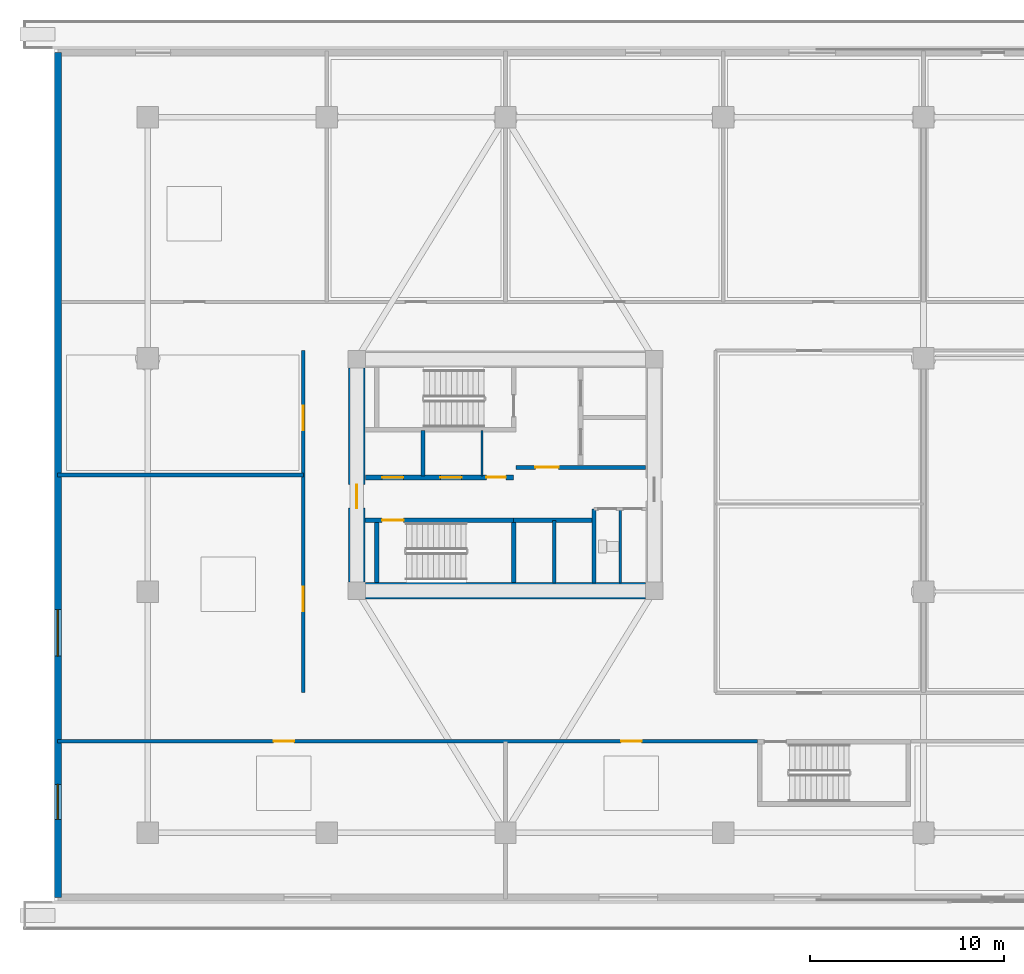
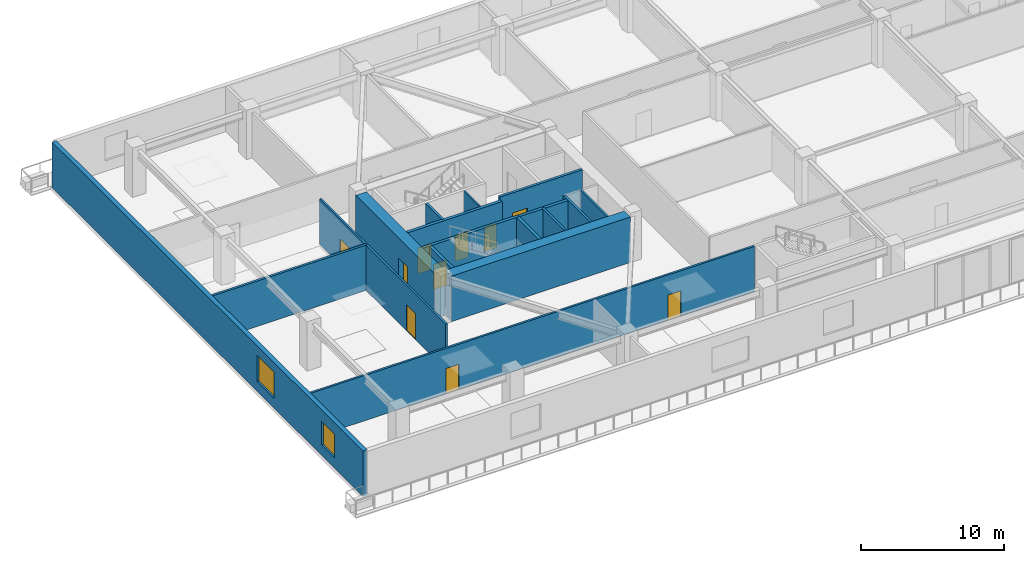
# One storey, part 4 of 23: 17 walls, 10 doors, 2 windows, 12 openings.
"""IFC4 building model written with IfcOpenShell, lengths in metres."""

from ifc_helpers import new_model, si_unit, direction, frame, frame_2d, origin, place, context, subcontext, project, spatial, rectangle, extrude, source, transform, mapped, material, layer, layer_set, type_object, type_shapes, element, fill, save


model = new_model("IFC4")

# Units and contexts
model_context = context("Model", 3, precision=1e-05, world=origin(), true_north=direction((0.0, 1.0)))
body_context = subcontext(model_context, "Body", "Model", "MODEL_VIEW")
ifc_project = project(units=[si_unit("LENGTHUNIT", "METRE"), si_unit("AREAUNIT", "SQUARE_METRE"), si_unit("VOLUMEUNIT", "CUBIC_METRE"), si_unit("PLANEANGLEUNIT", "RADIAN"), si_unit("MASSUNIT", "GRAM", prefix="KILO")], contexts=[model_context])

# Site, building, storey
site_placement = place(None, origin())
site = spatial("IfcSite", under=ifc_project, at=site_placement, CompositionType="ELEMENT")
building_placement = place(site_placement, origin())
building = spatial("IfcBuilding", under=site, at=building_placement, Name="Norrkilde Senior Care Towers", CompositionType="ELEMENT")
storey_placement = place(building_placement, frame((0.0, 0.0, 8.39990234375)))
storey = spatial("IfcBuildingStorey", under=building, at=storey_placement, Name="L02", CompositionType="ELEMENT", Elevation=8.39990234375)

# Wall
ifc_material_1 = material(Name="Concrete C60/75", Category="concrete")
ifc_layer_1 = layer(ifc_material_1, 0.85009765625)
ifc_layer_set_1 = layer_set([ifc_layer_1], Name="Concrete C60/75")
wall_type_1 = type_object("IfcWallType", Name="Core Shear Wall Z1 850", PredefinedType="SHEAR", material=ifc_layer_set_1)
shared_shape_1 = source(origin(), body_context, "Body", "SweptSolid", [
    extrude(rectangle(XDim=14.39990234375, YDim=0.85009765625, at=frame_2d((7.199951171875, 0.0))), origin(), (0.0, 0.0, 1.0), 3.880126953125),
])
wall_1_placement = place(storey_placement, frame((-20.800048828125, -5.949951171875, 0.0), z_axis=(0.0, 0.0, 1.0), x_axis=(-1.0, 0.0, 0.0)))
element("IfcWall", 1, at=wall_1_placement, inside=storey, type_object=wall_type_1, Name="L02 Core W South Shear Wall", PredefinedType="SHEAR", context=body_context, shape_type="MappedRepresentation", body=[
    mapped(shared_shape_1, transform((0.0, 0.0, 0.0), x_axis=(1.0, 0.0, 0.0), y_axis=(0.0, 1.0, 0.0), z_axis=(0.0, 0.0, 1.0), scale=1.0)),
])

# Wall, opening, door
shared_shape_2 = source(origin(), body_context, "Body", "SweptSolid", [
    extrude(rectangle(XDim=11.0, YDim=0.85009765625, at=frame_2d((5.5, 0.0))), origin(), (0.0, 0.0, 1.0), 3.880126953125),
])
type_shapes(wall_type_1, [shared_shape_1, shared_shape_2])
wall_2_placement = place(storey_placement, frame((-35.64990234375, -5.5, 0.0), z_axis=(0.0, 0.0, 1.0), x_axis=(0.0, 1.0, 0.0)))
wall_2 = element("IfcWall", 2, at=wall_2_placement, inside=storey, type_object=wall_type_1, Name="L02 Core W West Shear Wall", PredefinedType="SHEAR", context=body_context, shape_type="MappedRepresentation", body=[
    mapped(shared_shape_2, transform((0.0, 0.0, 0.0), x_axis=(1.0, 0.0, 0.0), y_axis=(0.0, 1.0, 0.0), z_axis=(0.0, 0.0, 1.0), scale=1.0)),
])
opening_1_placement = place(wall_2_placement, frame((3.800048828125, 0.0, 0.0)))
opening_1 = element("IfcOpeningElement", 3, at=opening_1_placement, cuts=wall_2, Name="Opening D-04", PredefinedType="OPENING", context=body_context, shape_type="SweptSolid", body=[
    extrude(rectangle(XDim=1.199951171875, YDim=2.14990234375, at=frame_2d((0.60009765625, 1.074951171875))), frame((0.0, 0.43505859375, 0.0), z_axis=(0.0, -1.0, 0.0), x_axis=(1.0, 0.0, 0.0)), (0.0, 0.0, 1.0), 0.8701171875),
])
ifc_material_2 = material(Name="Galvanised Painted Steel", Category="steel")
door_type_1 = type_object("IfcDoorType", Name="Firefighting Lobby Fire Door 1200x2150", OperationType="NOTDEFINED", PredefinedType="DOOR", material=ifc_material_2)
shared_shape_3 = source(origin(), body_context, "Body", "SweptSolid", [
    extrude(rectangle(XDim=1.199951171875, YDim=2.14990234375, at=frame_2d((0.60009765625, 1.074951171875))), frame((0.0, 0.02490234375, 0.0), z_axis=(0.0, -1.0, 0.0), x_axis=(1.0, 0.0, 0.0)), (0.0, 0.0, 1.0), 0.050048828125),
])
type_shapes(door_type_1, [shared_shape_3])
door_1_placement = place(opening_1_placement, frame((1.199951171875, 0.0, 0.0), z_axis=(0.0, 0.0, 1.0), x_axis=(-1.0, 0.0, 0.0)))
door_1 = element("IfcDoor", 4, at=door_1_placement, inside=storey, type_object=door_type_1, Name="L02 Core W West Portal Door", OperationType="SINGLE_SWING_LEFT", OverallHeight=2.14990234375, OverallWidth=1.199951171875, PredefinedType="DOOR", context=body_context, shape_type="MappedRepresentation", body=[
    mapped(shared_shape_3, transform((0.0, 0.0, 0.0), x_axis=(1.0, 0.0, 0.0), y_axis=(0.0, 1.0, 0.0), z_axis=(0.0, 0.0, 1.0), scale=1.0)),
])
fill(opening_1, door_1)

# Wall, openings, windows
ifc_material_3 = material(Name="Precast concrete C45/55", Category="concrete")
ifc_layer_2 = layer(ifc_material_3, 0.360107421875)
ifc_layer_set_2 = layer_set([ifc_layer_2], Name="Precast concrete C45/55")
wall_type_2 = type_object("IfcWallType", Name="Podium Facade Wall 360", PredefinedType="SOLIDWALL", material=ifc_layer_set_2)
shared_shape_4 = source(origin(), body_context, "Body", "SweptSolid", [
    extrude(rectangle(XDim=43.43994140625, YDim=0.360107421875, at=frame_2d((21.719970703125, 0.0))), origin(), (0.0, 0.0, 1.0), 3.880126953125),
])
type_shapes(wall_type_2, [shared_shape_4])
wall_3_placement = place(storey_placement, frame((-51.02001953125, -21.719970703125, 0.0), z_axis=(0.0, 0.0, 1.0), x_axis=(0.0, 1.0, 0.0)))
wall_3 = element("IfcWall", 5, at=wall_3_placement, inside=storey, type_object=wall_type_2, Name="L02 Podium W Facade Wall", PredefinedType="SOLIDWALL", context=body_context, shape_type="MappedRepresentation", body=[
    mapped(shared_shape_4, transform((0.0, 0.0, 0.0), x_axis=(1.0, 0.0, 0.0), y_axis=(0.0, 1.0, 0.0), z_axis=(0.0, 0.0, 1.0), scale=1.0)),
])
opening_2_placement = place(wall_3_placement, frame((4.0, 0.0, 0.89990234375)))
opening_2 = element("IfcOpeningElement", 6, at=opening_2_placement, cuts=wall_3, Name="Opening WN-03", PredefinedType="OPENING", context=body_context, shape_type="SweptSolid", body=[
    extrude(rectangle(XDim=1.800048828125, YDim=2.0, at=frame_2d((0.89990234375, 1.0))), frame((0.0, 0.18994140625, 0.0), z_axis=(0.0, -1.0, 0.0), x_axis=(1.0, 0.0, 0.0)), (0.0, 0.0, 1.0), 0.380126953125),
])
opening_3_placement = place(wall_3_placement, frame((12.39990234375, 0.0, 0.85009765625)))
opening_3 = element("IfcOpeningElement", 7, at=opening_3_placement, cuts=wall_3, Name="Opening WN-01", PredefinedType="OPENING", context=body_context, shape_type="SweptSolid", body=[
    extrude(rectangle(XDim=2.39990234375, YDim=2.199951171875, at=frame_2d((1.199951171875, 1.10009765625))), frame((0.0, 0.18994140625, 0.0), z_axis=(0.0, -1.0, 0.0), x_axis=(1.0, 0.0, 0.0)), (0.0, 0.0, 1.0), 0.380126953125),
])
ifc_material_4 = material(Name="Triple Low-E Insulated Glazing", Category="glass")
window_type_1 = type_object("IfcWindowType", Name="Podium Clinic Triple Window 2400x2200", PartitioningType="SINGLE_PANEL", PredefinedType="WINDOW", material=ifc_material_4)
shared_shape_5 = source(origin(), body_context, "Body", "SweptSolid", [
    extrude(rectangle(XDim=2.39990234375, YDim=2.199951171875, at=frame_2d((1.199951171875, 1.10009765625))), frame((0.0, 0.030029296875, 0.0), z_axis=(0.0, -1.0, 0.0), x_axis=(1.0, 0.0, 0.0)), (0.0, 0.0, 1.0), 0.06005859375),
])
type_shapes(window_type_1, [shared_shape_5])
window_1_placement = place(opening_3_placement, origin())
window_1 = element("IfcWindow", 8, at=window_1_placement, inside=storey, type_object=window_type_1, Name="L02 W Window 02", OverallHeight=2.199951171875, OverallWidth=2.39990234375, PartitioningType="SINGLE_PANEL", PredefinedType="WINDOW", context=body_context, shape_type="MappedRepresentation", body=[
    mapped(shared_shape_5, transform((0.0, 0.0, 0.0), x_axis=(1.0, 0.0, 0.0), y_axis=(0.0, 1.0, 0.0), z_axis=(0.0, 0.0, 1.0), scale=1.0)),
])
fill(opening_3, window_1)
window_type_2 = type_object("IfcWindowType", Name="Podium Therapy Garden Window 1800x2000", PartitioningType="SINGLE_PANEL", PredefinedType="WINDOW", material=ifc_material_4)
shared_shape_6 = source(origin(), body_context, "Body", "SweptSolid", [
    extrude(rectangle(XDim=1.800048828125, YDim=2.0, at=frame_2d((0.89990234375, 1.0))), frame((0.0, 0.030029296875, 0.0), z_axis=(0.0, -1.0, 0.0), x_axis=(1.0, 0.0, 0.0)), (0.0, 0.0, 1.0), 0.06005859375),
])
type_shapes(window_type_2, [shared_shape_6])
window_2_placement = place(opening_2_placement, origin())
window_2 = element("IfcWindow", 9, at=window_2_placement, inside=storey, type_object=window_type_2, Name="L02 W Window 01", OverallHeight=2.0, OverallWidth=1.800048828125, PartitioningType="SINGLE_PANEL", PredefinedType="WINDOW", context=body_context, shape_type="MappedRepresentation", body=[
    mapped(shared_shape_6, transform((0.0, 0.0, 0.0), x_axis=(1.0, 0.0, 0.0), y_axis=(0.0, 1.0, 0.0), z_axis=(0.0, 0.0, 1.0), scale=1.0)),
])
fill(opening_2, window_2)

# Wall, opening, door
ifc_material_5 = material(Name="Concrete C45/55", Category="concrete")
ifc_layer_3 = layer(ifc_material_5, 0.2099609375)
ifc_layer_set_3 = layer_set([ifc_layer_3], Name="Concrete C45/55")
wall_type_3 = type_object("IfcWallType", Name="Firefighting Lobby Wall 210", PredefinedType="PARTITIONING", material=ifc_layer_set_3)
shared_shape_7 = source(origin(), body_context, "Body", "SweptSolid", [
    extrude(rectangle(XDim=6.659912109375, YDim=0.2099609375, at=frame_2d((3.330078125, 0.0))), origin(), (0.0, 0.0, 1.0), 3.864990234375),
])
type_shapes(wall_type_3, [shared_shape_7])
wall_4_placement = place(storey_placement, frame((-27.4599609375, 0.389892578125, 0.0), z_axis=(0.0, 0.0, 1.0), x_axis=(1.0, 0.0, 0.0)))
wall_4 = element("IfcWall", 10, at=wall_4_placement, inside=storey, type_object=wall_type_3, Name="WL-INT-L02-W-FFLS", PredefinedType="PARTITIONING", context=body_context, shape_type="MappedRepresentation", body=[
    mapped(shared_shape_7, transform((0.0, 0.0, 0.0), x_axis=(1.0, 0.0, 0.0), y_axis=(0.0, 1.0, 0.0), z_axis=(0.0, 0.0, 1.0), scale=1.0)),
])
opening_4_placement = place(wall_4_placement, frame((1.0, 0.0, 0.0)))
opening_4 = element("IfcOpeningElement", 11, at=opening_4_placement, cuts=wall_4, Name="Opening D-04", PredefinedType="OPENING", context=body_context, shape_type="SweptSolid", body=[
    extrude(rectangle(XDim=1.199951171875, YDim=2.14990234375, at=frame_2d((0.60009765625, 1.074951171875))), frame((0.0, 0.114990234375, 0.0), z_axis=(0.0, -1.0, 0.0), x_axis=(1.0, 0.0, 0.0)), (0.0, 0.0, 1.0), 0.22998046875),
])
door_2_placement = place(opening_4_placement, frame((1.199951171875, 0.0, 0.0), z_axis=(0.0, 0.0, 1.0), x_axis=(-1.0, 0.0, 0.0)))
door_2 = element("IfcDoor", 12, at=door_2_placement, inside=storey, type_object=door_type_1, Name="L02 Firefighting Lobby W Door", OperationType="SINGLE_SWING_LEFT", OverallHeight=2.14990234375, OverallWidth=1.199951171875, PredefinedType="DOOR", context=body_context, shape_type="MappedRepresentation", body=[
    mapped(shared_shape_3, transform((0.0, 0.0, 0.0), x_axis=(1.0, 0.0, 0.0), y_axis=(0.0, 1.0, 0.0), z_axis=(0.0, 0.0, 1.0), scale=1.0)),
])
fill(opening_4, door_2)

# Wall, openings, doors
ifc_layer_4 = layer(ifc_material_5, 0.239990234375)
ifc_layer_set_4 = layer_set([ifc_layer_4], Name="Concrete C45/55")
wall_type_4 = type_object("IfcWallType", Name="Lift and Plant Rated Enclosure Partition 240", PredefinedType="PARTITIONING", material=ifc_layer_set_4)
shared_shape_8 = source(origin(), body_context, "Body", "SweptSolid", [
    extrude(rectangle(XDim=7.619873046875, YDim=0.239990234375, at=frame_2d((3.81005859375, 0.0))), origin(), (0.0, 0.0, 1.0), 3.864990234375),
])
wall_5_placement = place(storey_placement, frame((-35.199951171875, -0.1298828125, 0.0), z_axis=(0.0, 0.0, 1.0), x_axis=(1.0, 0.0, 0.0)))
wall_5 = element("IfcWall", 13, at=wall_5_placement, inside=storey, type_object=wall_type_4, Name="WL-INT-L02-W-PKAS", PredefinedType="PARTITIONING", context=body_context, shape_type="MappedRepresentation", body=[
    mapped(shared_shape_8, transform((0.0, 0.0, 0.0), x_axis=(1.0, 0.0, 0.0), y_axis=(0.0, 1.0, 0.0), z_axis=(0.0, 0.0, 1.0), scale=1.0)),
])
opening_5_placement = place(wall_5_placement, frame((6.219970703125, 0.0, 0.0)))
opening_5 = element("IfcOpeningElement", 14, at=opening_5_placement, cuts=wall_5, Name="Opening D-10", PredefinedType="OPENING", context=body_context, shape_type="SweptSolid", body=[
    extrude(rectangle(XDim=1.0, YDim=2.10009765625, at=frame_2d((0.5, 1.050048828125))), frame((0.0, 0.1298828125, 0.0), z_axis=(0.0, -1.0, 0.0), x_axis=(1.0, 0.0, 0.0)), (0.0, 0.0, 1.0), 0.260009765625),
])
opening_6_placement = place(wall_5_placement, frame((0.85009765625, 0.0, 0.0)))
opening_6 = element("IfcOpeningElement", 15, at=opening_6_placement, cuts=wall_5, Name="Opening LD-01", PredefinedType="OPENING", context=body_context, shape_type="SweptSolid", body=[
    extrude(rectangle(XDim=1.10009765625, YDim=2.199951171875, at=frame_2d((0.550048828125, 1.10009765625))), frame((0.0, 0.1298828125, 0.0), z_axis=(0.0, -1.0, 0.0), x_axis=(1.0, 0.0, 0.0)), (0.0, 0.0, 1.0), 0.260009765625),
])
opening_7_placement = place(wall_5_placement, frame((3.85009765625, 0.0, 0.0)))
opening_7 = element("IfcOpeningElement", 16, at=opening_7_placement, cuts=wall_5, Name="Opening LD-01", PredefinedType="OPENING", context=body_context, shape_type="SweptSolid", body=[
    extrude(rectangle(XDim=1.10009765625, YDim=2.199951171875, at=frame_2d((0.550048828125, 1.10009765625))), frame((0.0, 0.1298828125, 0.0), z_axis=(0.0, -1.0, 0.0), x_axis=(1.0, 0.0, 0.0)), (0.0, 0.0, 1.0), 0.260009765625),
])
door_type_2 = type_object("IfcDoorType", Name="Plant and Riser Rated Door 1000x2100", OperationType="NOTDEFINED", PredefinedType="DOOR", material=ifc_material_2)
shared_shape_9 = source(origin(), body_context, "Body", "SweptSolid", [
    extrude(rectangle(XDim=1.0, YDim=2.10009765625, at=frame_2d((0.5, 1.050048828125))), frame((0.0, 0.02490234375, 0.0), z_axis=(0.0, -1.0, 0.0), x_axis=(1.0, 0.0, 0.0)), (0.0, 0.0, 1.0), 0.050048828125),
])
type_shapes(door_type_2, [shared_shape_9])
door_3_placement = place(opening_5_placement, frame((1.0, 0.0, 0.0), z_axis=(0.0, 0.0, 1.0), x_axis=(-1.0, 0.0, 0.0)))
door_3 = element("IfcDoor", 17, at=door_3_placement, inside=storey, type_object=door_type_2, Name="L02 Electrical Riser W Door", OperationType="SINGLE_SWING_LEFT", OverallHeight=2.10009765625, OverallWidth=1.0, PredefinedType="DOOR", context=body_context, shape_type="MappedRepresentation", body=[
    mapped(shared_shape_9, transform((0.0, 0.0, 0.0), x_axis=(1.0, 0.0, 0.0), y_axis=(0.0, 1.0, 0.0), z_axis=(0.0, 0.0, 1.0), scale=1.0)),
])
fill(opening_5, door_3)
ifc_material_6 = material(Name="Stainless Steel", Category="steel")
door_type_3 = type_object("IfcDoorType", Name="Lift Landing Sliding Door 1100x2200", OperationType="NOTDEFINED", PredefinedType="DOOR", material=ifc_material_6)
shared_shape_10 = source(origin(), body_context, "Body", "SweptSolid", [
    extrude(rectangle(XDim=1.10009765625, YDim=2.199951171875, at=frame_2d((0.550048828125, 1.10009765625))), frame((0.0, 0.02490234375, 0.0), z_axis=(0.0, -1.0, 0.0), x_axis=(1.0, 0.0, 0.0)), (0.0, 0.0, 1.0), 0.050048828125),
])
type_shapes(door_type_3, [shared_shape_10])
door_4_placement = place(opening_6_placement, origin())
door_4 = element("IfcDoor", 18, at=door_4_placement, inside=storey, type_object=door_type_3, Name="L02 Passenger Lift W1 Landing Door", OperationType="SLIDING_TO_LEFT", OverallHeight=2.199951171875, OverallWidth=1.10009765625, PredefinedType="DOOR", context=body_context, shape_type="MappedRepresentation", body=[
    mapped(shared_shape_10, transform((0.0, 0.0, 0.0), x_axis=(1.0, 0.0, 0.0), y_axis=(0.0, 1.0, 0.0), z_axis=(0.0, 0.0, 1.0), scale=1.0)),
])
fill(opening_6, door_4)
door_5_placement = place(opening_7_placement, origin())
door_5 = element("IfcDoor", 19, at=door_5_placement, inside=storey, type_object=door_type_3, Name="L02 Passenger Lift W2 Landing Door", OperationType="SLIDING_TO_RIGHT", OverallHeight=2.199951171875, OverallWidth=1.10009765625, PredefinedType="DOOR", context=body_context, shape_type="MappedRepresentation", body=[
    mapped(shared_shape_10, transform((0.0, 0.0, 0.0), x_axis=(1.0, 0.0, 0.0), y_axis=(0.0, 1.0, 0.0), z_axis=(0.0, 0.0, 1.0), scale=1.0)),
])
fill(opening_7, door_5)

# Walls
ifc_material_7 = material(Name="Gypsum Acoustic Board")
ifc_layer_5 = layer(ifc_material_7, 0.114990234375)
ifc_layer_set_5 = layer_set([ifc_layer_5], Name="Gypsum Acoustic Board")
wall_type_5 = type_object("IfcWallType", Name="Internal Room Partition 115", PredefinedType="PARTITIONING", material=ifc_layer_set_5)
shared_shape_11 = source(origin(), body_context, "Body", "SweptSolid", [
    extrude(rectangle(XDim=2.330078125, YDim=0.114990234375, at=frame_2d((1.1650390625, 0.0))), origin(), (0.0, 0.0, 1.0), 3.864990234375),
])
type_shapes(wall_type_5, [shared_shape_11])
wall_6_placement = place(storey_placement, frame((-29.2099609375, -0.050048828125, 0.0), z_axis=(0.0, 0.0, 1.0), x_axis=(0.0, 1.0, 0.0)))
element("IfcWall", 20, at=wall_6_placement, inside=storey, type_object=wall_type_5, Name="WL-INT-L02-W-RISW", PredefinedType="PARTITIONING", context=body_context, shape_type="MappedRepresentation", body=[
    mapped(shared_shape_11, transform((0.0, 0.0, 0.0), x_axis=(1.0, 0.0, 0.0), y_axis=(0.0, 1.0, 0.0), z_axis=(0.0, 0.0, 1.0), scale=1.0)),
])
ifc_layer_6 = layer(ifc_material_5, 0.199951171875)
ifc_layer_set_6 = layer_set([ifc_layer_6], Name="Concrete C45/55")
wall_type_6 = type_object("IfcWallType", Name="Shaft Division and Plant Partition 200", PredefinedType="PARTITIONING", material=ifc_layer_set_6)
shared_shape_12 = source(origin(), body_context, "Body", "SweptSolid", [
    extrude(rectangle(XDim=2.330078125, YDim=0.199951171875, at=frame_2d((1.1650390625, 0.0))), origin(), (0.0, 0.0, 1.0), 3.864990234375),
])
wall_7_placement = place(storey_placement, frame((-32.25, -0.050048828125, 0.0), z_axis=(0.0, 0.0, 1.0), x_axis=(0.0, 1.0, 0.0)))
element("IfcWall", 21, at=wall_7_placement, inside=storey, type_object=wall_type_6, Name="WL-INT-L02-W-PL12", PredefinedType="PARTITIONING", context=body_context, shape_type="MappedRepresentation", body=[
    mapped(shared_shape_12, transform((0.0, 0.0, 0.0), x_axis=(1.0, 0.0, 0.0), y_axis=(0.0, 1.0, 0.0), z_axis=(0.0, 0.0, 1.0), scale=1.0)),
])
shared_shape_13 = source(origin(), body_context, "Body", "SweptSolid", [
    extrude(rectangle(XDim=3.800048828125, YDim=0.199951171875, at=frame_2d((1.89990234375, 0.0))), origin(), (0.0, 0.0, 1.0), 3.864990234375),
])
type_shapes(wall_type_6, [shared_shape_12, shared_shape_13])
wall_8_placement = place(storey_placement, frame((-23.449951171875, -5.550048828125, 0.0), z_axis=(0.0, 0.0, 1.0), x_axis=(0.0, 1.0, 0.0)))
element("IfcWall", 22, at=wall_8_placement, inside=storey, type_object=wall_type_6, Name="WL-INT-L02-W-PKBE", PredefinedType="PARTITIONING", context=body_context, shape_type="MappedRepresentation", body=[
    mapped(shared_shape_13, transform((0.0, 0.0, 0.0), x_axis=(1.0, 0.0, 0.0), y_axis=(0.0, 1.0, 0.0), z_axis=(0.0, 0.0, 1.0), scale=1.0)),
])
shared_shape_14 = source(origin(), body_context, "Body", "SweptSolid", [
    extrude(rectangle(XDim=4.130126953125, YDim=0.239990234375, at=frame_2d((2.06494140625, 0.0))), origin(), (0.0, 0.0, 1.0), 3.864990234375),
])
type_shapes(wall_type_4, [shared_shape_8, shared_shape_14])
wall_9_placement = place(storey_placement, frame((-27.580078125, -2.330078125, 0.0), z_axis=(0.0, 0.0, 1.0), x_axis=(1.0, 0.0, 0.0)))
element("IfcWall", 23, at=wall_9_placement, inside=storey, type_object=wall_type_4, Name="WL-INT-L02-W-PKBN", PredefinedType="PARTITIONING", context=body_context, shape_type="MappedRepresentation", body=[
    mapped(shared_shape_14, transform((0.0, 0.0, 0.0), x_axis=(1.0, 0.0, 0.0), y_axis=(0.0, 1.0, 0.0), z_axis=(0.0, 0.0, 1.0), scale=1.0)),
])
ifc_layer_7 = layer(ifc_material_5, 0.179931640625)
ifc_layer_set_7 = layer_set([ifc_layer_7], Name="Concrete C45/55")
wall_type_7 = type_object("IfcWallType", Name="Hoistway Division Rated Partition 180", PredefinedType="PARTITIONING", material=ifc_layer_set_7)
shared_shape_15 = source(origin(), body_context, "Body", "SweptSolid", [
    extrude(rectangle(XDim=3.219970703125, YDim=0.179931640625, at=frame_2d((1.60986328125, 0.0))), origin(), (0.0, 0.0, 1.0), 3.864990234375),
])
type_shapes(wall_type_7, [shared_shape_15])
wall_10_placement = place(storey_placement, frame((-25.5, -5.550048828125, 0.0), z_axis=(0.0, 0.0, 1.0), x_axis=(0.0, 1.0, 0.0)))
element("IfcWall", 24, at=wall_10_placement, inside=storey, type_object=wall_type_7, Name="WL-INT-L02-W-PL34", PredefinedType="PARTITIONING", context=body_context, shape_type="MappedRepresentation", body=[
    mapped(shared_shape_15, transform((0.0, 0.0, 0.0), x_axis=(1.0, 0.0, 0.0), y_axis=(0.0, 1.0, 0.0), z_axis=(0.0, 0.0, 1.0), scale=1.0)),
])

# Wall, openings, doors
ifc_layer_8 = layer(ifc_material_7, 0.1650390625)
ifc_layer_set_8 = layer_set([ifc_layer_8], Name="Gypsum Acoustic Board")
wall_type_8 = type_object("IfcWallType", Name="Corridor Rated Partition 165", PredefinedType="PARTITIONING", material=ifc_layer_set_8)
shared_shape_16 = source(origin(), body_context, "Body", "SweptSolid", [
    extrude(rectangle(XDim=17.599853515625, YDim=0.1650390625, at=frame_2d((8.7998046875, 0.0))), origin(), (0.0, 0.0, 1.0), 3.864990234375),
])
wall_11_placement = place(storey_placement, frame((-38.39990234375, -11.199951171875, 0.0), z_axis=(0.0, 0.0, 1.0), x_axis=(0.0, 1.0, 0.0)))
wall_11 = element("IfcWall", 25, at=wall_11_placement, inside=storey, type_object=wall_type_8, Name="WL-INT-L02-POD-OW", PredefinedType="PARTITIONING", context=body_context, shape_type="MappedRepresentation", body=[
    mapped(shared_shape_16, transform((0.0, 0.0, 0.0), x_axis=(1.0, 0.0, 0.0), y_axis=(0.0, 1.0, 0.0), z_axis=(0.0, 0.0, 1.0), scale=1.0)),
])
opening_8_placement = place(wall_11_placement, frame((4.199951171875, 0.0, 0.0)))
opening_8 = element("IfcOpeningElement", 26, at=opening_8_placement, cuts=wall_11, Name="Opening D-05", PredefinedType="OPENING", context=body_context, shape_type="SweptSolid", body=[
    extrude(rectangle(XDim=1.25, YDim=2.199951171875, at=frame_2d((0.625, 1.10009765625))), frame((0.0, 0.092529296875, 0.0), z_axis=(0.0, -1.0, 0.0), x_axis=(1.0, 0.0, 0.0)), (0.0, 0.0, 1.0), 0.18505859375),
])
opening_9_placement = place(wall_11_placement, frame((13.5, 0.0, 0.0)))
opening_9 = element("IfcOpeningElement", 27, at=opening_9_placement, cuts=wall_11, Name="Opening D-05", PredefinedType="OPENING", context=body_context, shape_type="SweptSolid", body=[
    extrude(rectangle(XDim=1.25, YDim=2.199951171875, at=frame_2d((0.625, 1.10009765625))), frame((0.0, 0.092529296875, 0.0), z_axis=(0.0, -1.0, 0.0), x_axis=(1.0, 0.0, 0.0)), (0.0, 0.0, 1.0), 0.18505859375),
])
ifc_material_8 = material(Name="Nordic Ash Timber", Category="wood")
door_type_4 = type_object("IfcDoorType", Name="Care Bedroom Bariatric Door 1250x2200", OperationType="NOTDEFINED", PredefinedType="DOOR", material=ifc_material_8)
shared_shape_17 = source(origin(), body_context, "Body", "SweptSolid", [
    extrude(rectangle(XDim=1.25, YDim=2.199951171875, at=frame_2d((0.625, 1.10009765625))), frame((0.0, 0.02490234375, 0.0), z_axis=(0.0, -1.0, 0.0), x_axis=(1.0, 0.0, 0.0)), (0.0, 0.0, 1.0), 0.050048828125),
])
type_shapes(door_type_4, [shared_shape_17])
door_6_placement = place(opening_8_placement, frame((1.25, 0.0, 0.0), z_axis=(0.0, 0.0, 1.0), x_axis=(-1.0, 0.0, 0.0)))
door_6 = element("IfcDoor", 28, at=door_6_placement, inside=storey, type_object=door_type_4, Name="L02 Rehab Ward OW1 Door", OperationType="SINGLE_SWING_LEFT", OverallHeight=2.199951171875, OverallWidth=1.25, PredefinedType="DOOR", context=body_context, shape_type="MappedRepresentation", body=[
    mapped(shared_shape_17, transform((0.0, 0.0, 0.0), x_axis=(1.0, 0.0, 0.0), y_axis=(0.0, 1.0, 0.0), z_axis=(0.0, 0.0, 1.0), scale=1.0)),
])
fill(opening_8, door_6)
door_7_placement = place(opening_9_placement, frame((1.25, 0.0, 0.0), z_axis=(0.0, 0.0, 1.0), x_axis=(-1.0, 0.0, 0.0)))
door_7 = element("IfcDoor", 29, at=door_7_placement, inside=storey, type_object=door_type_4, Name="L02 Wellness Hall OW2 Door", OperationType="SINGLE_SWING_RIGHT", OverallHeight=2.199951171875, OverallWidth=1.25, PredefinedType="DOOR", context=body_context, shape_type="MappedRepresentation", body=[
    mapped(shared_shape_17, transform((0.0, 0.0, 0.0), x_axis=(1.0, 0.0, 0.0), y_axis=(0.0, 1.0, 0.0), z_axis=(0.0, 0.0, 1.0), scale=1.0)),
])
fill(opening_9, door_7)

# Wall, opening, door
ifc_layer_9 = layer(ifc_material_5, 0.239990234375)
ifc_layer_set_9 = layer_set([ifc_layer_9], Name="Concrete C45/55")
wall_type_9 = type_object("IfcWallType", Name="Shaft and Stair Enclosure Wall 240", PredefinedType="PARTITIONING", material=ifc_layer_set_9)
shared_shape_18 = source(origin(), body_context, "Body", "SweptSolid", [
    extrude(rectangle(XDim=7.76513671875, YDim=0.239990234375, at=frame_2d((3.882568359375, 0.0))), origin(), (0.0, 0.0, 1.0), 3.880126953125),
])
wall_12_placement = place(storey_placement, frame((-35.22509765625, -2.330078125, 0.0), z_axis=(0.0, 0.0, 1.0), x_axis=(1.0, 0.0, 0.0)))
wall_12 = element("IfcWall", 30, at=wall_12_placement, inside=storey, type_object=wall_type_9, Name="WL-INT-L02-W-ST2N", PredefinedType="PARTITIONING", context=body_context, shape_type="MappedRepresentation", body=[
    mapped(shared_shape_18, transform((0.0, 0.0, 0.0), x_axis=(1.0, 0.0, 0.0), y_axis=(0.0, 1.0, 0.0), z_axis=(0.0, 0.0, 1.0), scale=1.0)),
])
opening_10_placement = place(wall_12_placement, frame((0.885009765625, 0.0, 0.0)))
opening_10 = element("IfcOpeningElement", 31, at=opening_10_placement, cuts=wall_12, Name="Opening D-03", PredefinedType="OPENING", context=body_context, shape_type="SweptSolid", body=[
    extrude(rectangle(XDim=1.10009765625, YDim=2.14990234375, at=frame_2d((0.550048828125, 1.074951171875))), frame((0.0, 0.1298828125, 0.0), z_axis=(0.0, -1.0, 0.0), x_axis=(1.0, 0.0, 0.0)), (0.0, 0.0, 1.0), 0.260009765625),
])
door_type_5 = type_object("IfcDoorType", Name="Stairwell Protected Fire Door 1100x2150", OperationType="NOTDEFINED", PredefinedType="DOOR", material=ifc_material_2)
shared_shape_19 = source(origin(), body_context, "Body", "SweptSolid", [
    extrude(rectangle(XDim=1.10009765625, YDim=2.14990234375, at=frame_2d((0.550048828125, 1.074951171875))), frame((0.0, 0.02490234375, 0.0), z_axis=(0.0, -1.0, 0.0), x_axis=(1.0, 0.0, 0.0)), (0.0, 0.0, 1.0), 0.050048828125),
])
type_shapes(door_type_5, [shared_shape_19])
door_8_placement = place(opening_10_placement, frame((1.10009765625, 0.0, 0.0), z_axis=(0.0, 0.0, 1.0), x_axis=(-1.0, 0.0, 0.0)))
door_8 = element("IfcDoor", 32, at=door_8_placement, inside=storey, type_object=door_type_5, Name="L02 Stair W2 Fire Door", OperationType="SINGLE_SWING_RIGHT", OverallHeight=2.14990234375, OverallWidth=1.10009765625, PredefinedType="DOOR", context=body_context, shape_type="MappedRepresentation", body=[
    mapped(shared_shape_19, transform((0.0, 0.0, 0.0), x_axis=(1.0, 0.0, 0.0), y_axis=(0.0, 1.0, 0.0), z_axis=(0.0, 0.0, 1.0), scale=1.0)),
])
fill(opening_10, door_8)

# Walls
shared_shape_20 = source(origin(), body_context, "Body", "SweptSolid", [
    extrude(rectangle(XDim=3.074951171875, YDim=0.239990234375, at=frame_2d((1.53759765625, 0.0))), origin(), (0.0, 0.0, 1.0), 3.880126953125),
])
type_shapes(wall_type_9, [shared_shape_18, shared_shape_20])
for number, where, z_axis, x_axis, name in (
    (33, (-34.6201171875, -5.52490234375, 0.0), (0.0, 0.0, 1.0), (0.0, 1.0, 0.0), "WL-INT-L02-W-ST2W"),
    (34, (-27.580078125, -5.52490234375, 0.0), (0.0, 0.0, 1.0), (0.0, 1.0, 0.0), "WL-INT-L02-W-ST2E"),
):
    element("IfcWall", number, at=place(storey_placement, frame(where, z_axis=z_axis, x_axis=x_axis)), inside=storey, type_object=wall_type_9, Name=name, PredefinedType="PARTITIONING", context=body_context, shape_type="MappedRepresentation", body=[
        mapped(shared_shape_20, transform((0.0, 0.0, 0.0), x_axis=(1.0, 0.0, 0.0), y_axis=(0.0, 1.0, 0.0), z_axis=(0.0, 0.0, 1.0), scale=1.0)),
    ])
ifc_layer_10 = layer(ifc_material_7, 0.139892578125)
ifc_layer_set_10 = layer_set([ifc_layer_10], Name="Gypsum Acoustic Board")
wall_type_10 = type_object("IfcWallType", Name="En-suite Wet Room Wall 140", PredefinedType="PARTITIONING", material=ifc_layer_set_10)
shared_shape_21 = source(origin(), body_context, "Body", "SweptSolid", [
    extrude(rectangle(XDim=3.800048828125, YDim=0.139892578125, at=frame_2d((1.89990234375, 0.0))), origin(), (0.0, 0.0, 1.0), 3.864990234375),
])
type_shapes(wall_type_10, [shared_shape_21])
wall_13_placement = place(storey_placement, frame((-22.10009765625, -5.550048828125, 0.0), z_axis=(0.0, 0.0, 1.0), x_axis=(0.0, 1.0, 0.0)))
element("IfcWall", 35, at=wall_13_placement, inside=storey, type_object=wall_type_10, Name="WL-INT-L02-W-CS1V", PredefinedType="PARTITIONING", context=body_context, shape_type="MappedRepresentation", body=[
    mapped(shared_shape_21, transform((0.0, 0.0, 0.0), x_axis=(1.0, 0.0, 0.0), y_axis=(0.0, 1.0, 0.0), z_axis=(0.0, 0.0, 1.0), scale=1.0)),
])
ifc_layer_11 = layer(ifc_material_7, 0.18994140625)
ifc_layer_set_11 = layer_set([ifc_layer_11], Name="Gypsum Acoustic Board")
wall_type_11 = type_object("IfcWallType", Name="Unit Demising Acoustic Wall 190", PredefinedType="PARTITIONING", material=ifc_layer_set_11)
shared_shape_22 = source(origin(), body_context, "Body", "SweptSolid", [
    extrude(rectangle(XDim=12.650146484375, YDim=0.18994140625, at=frame_2d((6.3251953125, 0.0))), origin(), (0.0, 0.0, 1.0), 3.864990234375),
])
type_shapes(wall_type_11, [shared_shape_22])
wall_14_placement = place(storey_placement, frame((-51.050048828125, 0.0, 0.0), z_axis=(0.0, 0.0, 1.0), x_axis=(1.0, 0.0, 0.0)))
element("IfcWall", 36, at=wall_14_placement, inside=storey, type_object=wall_type_11, Name="WL-INT-L02-POD-OWH", PredefinedType="PARTITIONING", context=body_context, shape_type="MappedRepresentation", body=[
    mapped(shared_shape_22, transform((0.0, 0.0, 0.0), x_axis=(1.0, 0.0, 0.0), y_axis=(0.0, 1.0, 0.0), z_axis=(0.0, 0.0, 1.0), scale=1.0)),
])

# Wall, openings, doors
shared_shape_23 = source(origin(), body_context, "Body", "SweptSolid", [
    extrude(rectangle(XDim=36.0, YDim=0.1650390625, at=frame_2d((18.0, 0.0))), origin(), (0.0, 0.0, 1.0), 3.864990234375),
])
type_shapes(wall_type_8, [shared_shape_16, shared_shape_23])
wall_15_placement = place(storey_placement, frame((-51.050048828125, -13.699951171875, 0.0), z_axis=(0.0, 0.0, 1.0), x_axis=(1.0, 0.0, 0.0)))
wall_15 = element("IfcWall", 37, at=wall_15_placement, inside=storey, type_object=wall_type_8, Name="WL-INT-L02-POD-SPN", PredefinedType="PARTITIONING", context=body_context, shape_type="MappedRepresentation", body=[
    mapped(shared_shape_23, transform((0.0, 0.0, 0.0), x_axis=(1.0, 0.0, 0.0), y_axis=(0.0, 1.0, 0.0), z_axis=(0.0, 0.0, 1.0), scale=1.0)),
])
opening_11_placement = place(wall_15_placement, frame((11.125, 0.0, 0.0)))
opening_11 = element("IfcOpeningElement", 38, at=opening_11_placement, cuts=wall_15, Name="Opening D-06", PredefinedType="OPENING", context=body_context, shape_type="SweptSolid", body=[
    extrude(rectangle(XDim=1.050048828125, YDim=2.14990234375, at=frame_2d((0.52490234375, 1.074951171875))), frame((0.0, 0.092529296875, 0.0), z_axis=(0.0, -1.0, 0.0), x_axis=(1.0, 0.0, 0.0)), (0.0, 0.0, 1.0), 0.18505859375),
])
opening_12_placement = place(wall_15_placement, frame((29.0, 0.0, 0.0)))
opening_12 = element("IfcOpeningElement", 39, at=opening_12_placement, cuts=wall_15, Name="Opening D-06", PredefinedType="OPENING", context=body_context, shape_type="SweptSolid", body=[
    extrude(rectangle(XDim=1.050048828125, YDim=2.14990234375, at=frame_2d((0.52490234375, 1.074951171875))), frame((0.0, 0.092529296875, 0.0), z_axis=(0.0, -1.0, 0.0), x_axis=(1.0, 0.0, 0.0)), (0.0, 0.0, 1.0), 0.18505859375),
])
door_type_6 = type_object("IfcDoorType", Name="Apartment Entrance Fire Door 1050x2150", OperationType="NOTDEFINED", PredefinedType="DOOR", material=ifc_material_8)
shared_shape_24 = source(origin(), body_context, "Body", "SweptSolid", [
    extrude(rectangle(XDim=1.050048828125, YDim=2.14990234375, at=frame_2d((0.52490234375, 1.074951171875))), frame((0.0, 0.02490234375, 0.0), z_axis=(0.0, -1.0, 0.0), x_axis=(1.0, 0.0, 0.0)), (0.0, 0.0, 1.0), 0.050048828125),
])
type_shapes(door_type_6, [shared_shape_24])
door_9_placement = place(opening_11_placement, frame((1.050048828125, 0.0, 0.0), z_axis=(0.0, 0.0, 1.0), x_axis=(-1.0, 0.0, 0.0)))
door_9 = element("IfcDoor", 40, at=door_9_placement, inside=storey, type_object=door_type_6, Name="L02 South Suite SW1 Door", OperationType="SINGLE_SWING_LEFT", OverallHeight=2.14990234375, OverallWidth=1.050048828125, PredefinedType="DOOR", context=body_context, shape_type="MappedRepresentation", body=[
    mapped(shared_shape_24, transform((0.0, 0.0, 0.0), x_axis=(1.0, 0.0, 0.0), y_axis=(0.0, 1.0, 0.0), z_axis=(0.0, 0.0, 1.0), scale=1.0)),
])
fill(opening_11, door_9)
door_10_placement = place(opening_12_placement, frame((1.050048828125, 0.0, 0.0), z_axis=(0.0, 0.0, 1.0), x_axis=(-1.0, 0.0, 0.0)))
door_10 = element("IfcDoor", 41, at=door_10_placement, inside=storey, type_object=door_type_6, Name="L02 South Suite SW2 Door", OperationType="SINGLE_SWING_RIGHT", OverallHeight=2.14990234375, OverallWidth=1.050048828125, PredefinedType="DOOR", context=body_context, shape_type="MappedRepresentation", body=[
    mapped(shared_shape_24, transform((0.0, 0.0, 0.0), x_axis=(1.0, 0.0, 0.0), y_axis=(0.0, 1.0, 0.0), z_axis=(0.0, 0.0, 1.0), scale=1.0)),
])
fill(opening_12, door_10)

save(model, "model.ifc")
